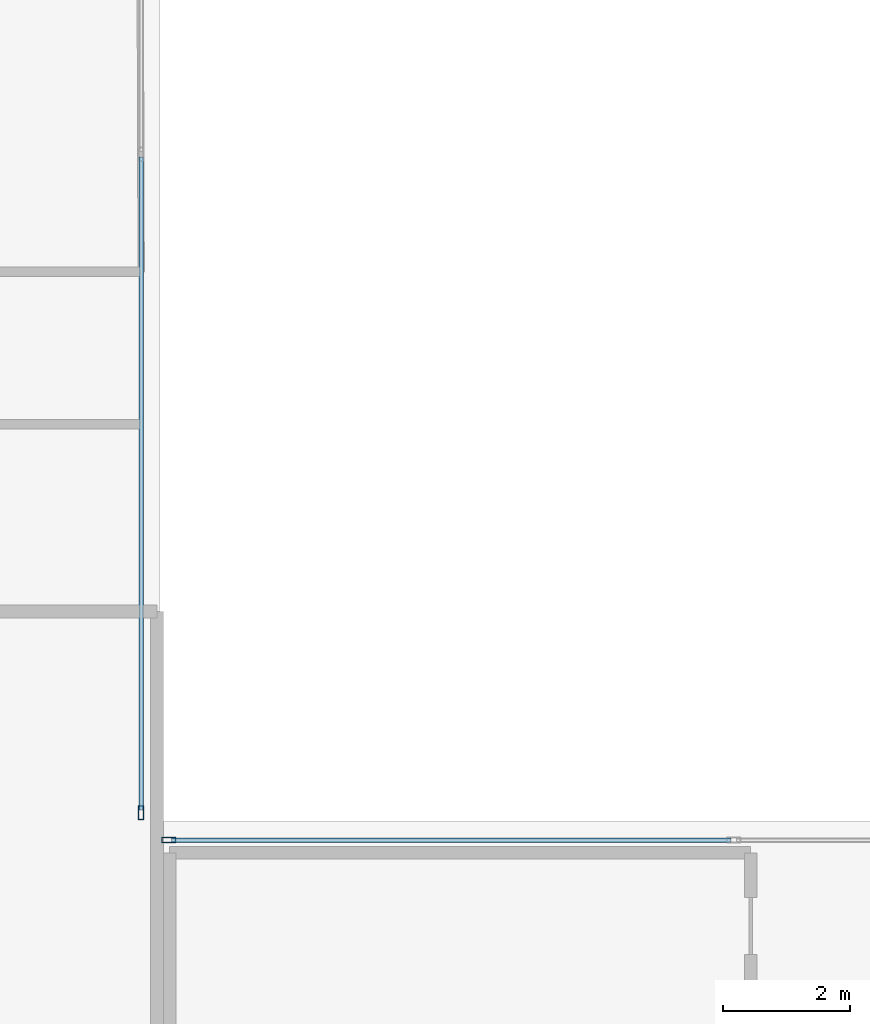
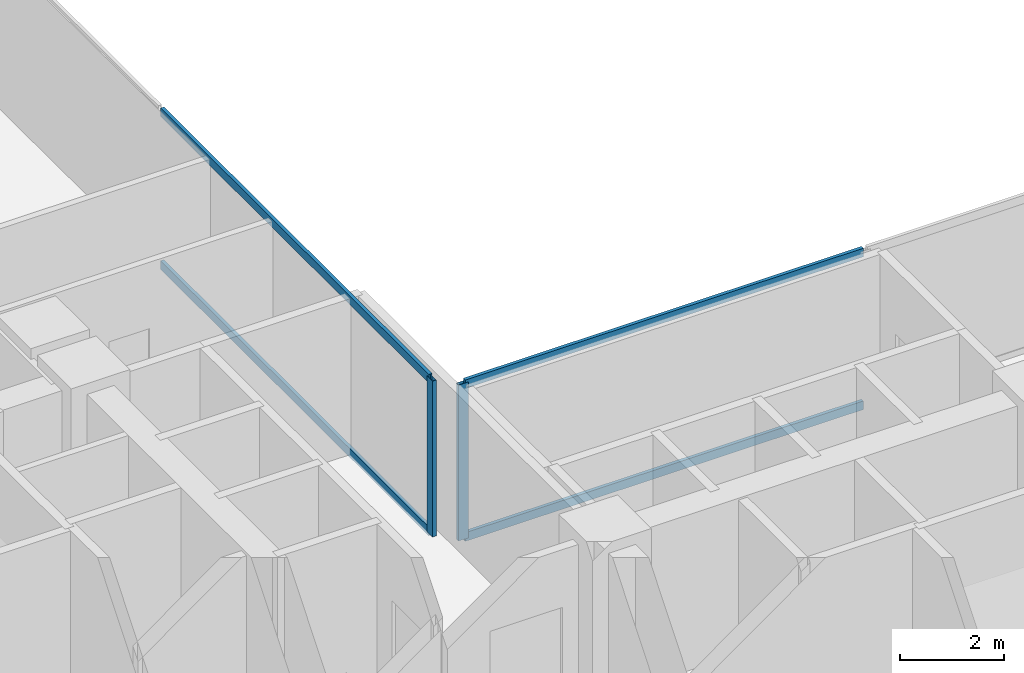
# One storey, part 7 of 25: 6 members, 2 elements without a shape of their own.
"""IFC4 building model written with IfcOpenShell, lengths in metres."""

import ifcopenshell
import ifcopenshell.guid

model = None  # the IFC model being written
_history = None  # IfcOwnerHistory: only IFC2X3 demands one
_inside = {}  # id of a spatial element -> (the spatial element, [elements in it])
_under = {}  # id of a project, library or spatial element -> (it, [spatial elements below it])
_declared = {}  # id of a project -> (the project, [libraries it declares])
_typed = {}  # id of a type object -> (the type object, [elements of that type])
_made_of = {}  # id of a material, layer set ... -> (it, [elements and type objects made of it])


def new_model(schema):
    """Start an empty IFC model of exactly this schema.

    Asked for "IFC4X3", IfcOpenShell would pick the latest addendum, in which some entities
    have other attributes; the version numbers below select the first issue.
    IFC2X3 requires an IfcOwnerHistory on every rooted entity: one is made here for all.
    """
    global model, _history
    if schema == "IFC4X3":
        model = ifcopenshell.file(schema_version=(4, 3, 0, 0))
    else:
        model = ifcopenshell.file(schema=schema)
    _inside.clear()
    _under.clear()
    _declared.clear()
    _typed.clear()
    _made_of.clear()
    _history = None
    if model.schema == "IFC2X3":
        org = make("IfcOrganization", Name="unknown")
        user = make(
            "IfcPersonAndOrganization",
            ThePerson=make("IfcPerson", FamilyName="unknown"),
            TheOrganization=org,
        )
        app = make(
            "IfcApplication",
            ApplicationDeveloper=org,
            Version="unknown",
            ApplicationFullName="unknown",
            ApplicationIdentifier="unknown",
        )
        _history = make(
            "IfcOwnerHistory",
            OwningUser=user,
            OwningApplication=app,
            ChangeAction="ADDED",
            CreationDate=0,
        )
    return model


def make(cls, **values):
    """One entity of the class cls with the attributes given. An attribute that is None is left unset."""
    return model.create_entity(
        cls, **{name: value for name, value in values.items() if value is not None}
    )


def rooted(cls, **values):
    """An entity with a GlobalId (a new one), such as an element, a storey or a relation."""
    return make(cls, GlobalId=ifcopenshell.guid.new(), OwnerHistory=_history, **values)


def si_unit(unit_type, name, prefix=None):
    """IfcSIUnit, for example si_unit("LENGTHUNIT", "METRE", prefix="MILLI")."""
    return make("IfcSIUnit", UnitType=unit_type, Prefix=prefix, Name=name)


def assignment(units):
    """IfcUnitAssignment: the units of a project."""
    return None if units is None else make("IfcUnitAssignment", Units=units)


def point(xyz):
    """IfcCartesianPoint."""
    return None if xyz is None else make("IfcCartesianPoint", Coordinates=xyz)


def direction(xyz):
    """IfcDirection."""
    return None if xyz is None else make("IfcDirection", DirectionRatios=xyz)


def frame(location, z_axis=None, x_axis=None):
    """IfcAxis2Placement3D, a coordinate frame: its origin and axes. An axis left out is left unset."""
    return make(
        "IfcAxis2Placement3D",
        Location=point(location),
        Axis=direction(z_axis),
        RefDirection=direction(x_axis),
    )


def frame_2d(location, x_axis=None):
    """IfcAxis2Placement2D, a coordinate frame in the plane: its origin and x axis."""
    return make(
        "IfcAxis2Placement2D", Location=point(location), RefDirection=direction(x_axis)
    )


def origin():
    """The frame at (0, 0, 0) with its axes left unset."""
    return frame((0.0, 0.0, 0.0))


def origin_2d():
    """The frame at (0, 0) in the plane with its x axis left unset."""
    return frame_2d((0.0, 0.0))


def place(relative_to, where):
    """IfcLocalPlacement: puts the frame where relative to a parent placement (None: the world)."""
    return make(
        "IfcLocalPlacement", PlacementRelTo=relative_to, RelativePlacement=where
    )


def context(
    kind, dimensions, precision=None, world=None, true_north=None, identifier=None
):
    """IfcGeometricRepresentationContext, for example the 3D "Model" context."""
    return make(
        "IfcGeometricRepresentationContext",
        ContextIdentifier=identifier,
        ContextType=kind,
        CoordinateSpaceDimension=dimensions,
        Precision=precision,
        WorldCoordinateSystem=world,
        TrueNorth=true_north,
    )


def subcontext(parent, identifier, kind, view, scale=None):
    """IfcGeometricRepresentationSubContext, for example "Body" below "Model"."""
    return make(
        "IfcGeometricRepresentationSubContext",
        ContextIdentifier=identifier,
        ContextType=kind,
        ParentContext=parent,
        TargetScale=scale,
        TargetView=view,
    )


def project(units=None, contexts=None):
    """IfcProject with its units and contexts."""
    return rooted(
        "IfcProject",
        Name="project",
        RepresentationContexts=contexts,
        UnitsInContext=assignment(units),
    )


def spatial(cls, under=None, at=None, **own):
    """A site, building, storey or space (cls), placed at a placement, below another one or the project."""
    s = rooted(cls, ObjectPlacement=at, **own)
    if under is not None:
        _under.setdefault(under.id(), (under, []))[1].append(s)
    return s


def profile(cls, at=None, kind="AREA", **sizes):
    """A parametric profile (cls). Its sizes go by their IFC names, for example OverallWidth=200.0."""
    return make(cls, ProfileType=kind, Position=at, **sizes)


def hollow_rectangle(**sizes):
    """IfcRectangleHollowProfileDef."""
    return profile("IfcRectangleHollowProfileDef", **sizes)


def extrude(swept, where, along, depth):
    """IfcExtrudedAreaSolid: the profile swept, set in the frame where, extruded along a direction by depth."""
    return make(
        "IfcExtrudedAreaSolid",
        SweptArea=swept,
        Position=where,
        ExtrudedDirection=direction(along),
        Depth=depth,
    )


def shape(context_of_items, identifier, shape_type, items):
    """IfcShapeRepresentation: the items that make up one representation, for example the "Body"."""
    return make(
        "IfcShapeRepresentation",
        ContextOfItems=context_of_items,
        RepresentationIdentifier=identifier,
        RepresentationType=shape_type,
        Items=items,
    )


def material(Name=None, Category=None):
    """IfcMaterial."""
    return make("IfcMaterial", Name=Name, Category=Category)


def layer(
    of_material, thickness, ventilated=None, Name=None, Category=None, Priority=None
):
    """IfcMaterialLayer: one layer of a wall or slab, of a material (None: an air gap)."""
    return make(
        "IfcMaterialLayer",
        Material=of_material,
        LayerThickness=thickness,
        IsVentilated=ventilated,
        Name=Name,
        Category=Category,
        Priority=Priority,
    )


def layer_set(layers, Name=None):
    """IfcMaterialLayerSet."""
    return make("IfcMaterialLayerSet", MaterialLayers=layers, LayerSetName=Name)


def material_profile(
    of_material, cross_section, Name=None, Category=None, Priority=None
):
    """IfcMaterialProfile: a cross section and its material."""
    return make(
        "IfcMaterialProfile",
        Name=Name,
        Material=of_material,
        Profile=cross_section,
        Priority=Priority,
        Category=Category,
    )


def profile_set(profiles, Name=None, composite=None):
    """IfcMaterialProfileSet."""
    return make(
        "IfcMaterialProfileSet",
        Name=Name,
        MaterialProfiles=profiles,
        CompositeProfile=composite,
    )


def made_of(thing, what):
    """Note that an element or type object is made of a material, layer set ...; save() writes the relation."""
    if what is not None:
        _made_of.setdefault(what.id(), (what, []))[1].append(thing)
    return thing


def type_object(cls, material=None, **own):
    """A type object (cls), such as IfcWallType, which elements share."""
    return made_of(rooted(cls, **own), material)


def element(
    cls,
    number,
    at=None,
    inside=None,
    cuts=None,
    type_object=None,
    material=None,
    context=None,
    identifier="Body",
    shape_type=None,
    held_by="IfcProductDefinitionShape",
    body=None,
    shapes=None,
    **own,
):
    """One element of the class cls, such as IfcWall. Its Tag is "e" and its number.

    at: its placement. inside: the storey or other place that contains it. cuts: it is an
    opening in that element (IfcRelVoidsElement). A single representation is given by context,
    identifier, shape_type and body (its items); several are given by shapes. held_by: the class
    of the entity that holds the representations. save() writes the other relations.
    """
    e = rooted(cls, Tag="e%d" % number, ObjectPlacement=at, **own)
    if body is not None:
        shapes = [shape(context, identifier, shape_type, body)]
    if shapes is not None:
        e.Representation = make(held_by, Representations=shapes)
    if inside is not None:
        _inside.setdefault(inside.id(), (inside, []))[1].append(e)
    if cuts is not None:
        rooted(
            "IfcRelVoidsElement", RelatingBuildingElement=cuts, RelatedOpeningElement=e
        )
    if type_object is not None:
        _typed.setdefault(type_object.id(), (type_object, []))[1].append(e)
    return made_of(e, material)


def aggregate(whole, parts):
    """IfcRelAggregates: a whole, such as a stair, and the parts it consists of."""
    return rooted("IfcRelAggregates", RelatingObject=whole, RelatedObjects=parts)


def save(model, path):
    """Write the relations noted so far, then the file.

    IfcRelAggregates (storeys below a building ...), IfcRelContainedInSpatialStructure (elements
    in a storey), IfcRelDefinesByType, IfcRelAssociatesMaterial and IfcRelDeclares: one each for
    every whole, place, type object, material and project.
    """
    for whole, parts in _under.values():
        aggregate(whole, parts)
    for where, things in _inside.values():
        rooted(
            "IfcRelContainedInSpatialStructure",
            RelatedElements=things,
            RelatingStructure=where,
        )
    for kind, things in _typed.values():
        rooted("IfcRelDefinesByType", RelatedObjects=things, RelatingType=kind)
    for what, things in _made_of.values():
        rooted("IfcRelAssociatesMaterial", RelatedObjects=things, RelatingMaterial=what)
    for by, libraries in _declared.values():
        rooted("IfcRelDeclares", RelatingContext=by, RelatedDefinitions=libraries)
    model.write(path)


model = new_model("IFC4")

# Units and contexts
model_context = context("Model", 3, precision=1e-05, world=origin(), true_north=direction((0.0, 1.0)))
body_context = subcontext(model_context, "Body", "Model", "MODEL_VIEW")
ifc_project = project(units=[si_unit("LENGTHUNIT", "METRE"), si_unit("AREAUNIT", "SQUARE_METRE"), si_unit("VOLUMEUNIT", "CUBIC_METRE"), si_unit("PLANEANGLEUNIT", "RADIAN"), si_unit("MASSUNIT", "GRAM", prefix="KILO"), si_unit("THERMODYNAMICTEMPERATUREUNIT", "KELVIN"), si_unit("POWERUNIT", "WATT")], contexts=[model_context])

# Site, building, storey
site_placement = place(None, origin())
site = spatial("IfcSite", under=ifc_project, at=site_placement, CompositionType="ELEMENT")
building_placement = place(site_placement, origin())
building = spatial("IfcBuilding", under=site, at=building_placement, Name="Svarakhadi Broadcast Tower", CompositionType="ELEMENT")
storey_placement = place(building_placement, frame((0.0, 0.0, 32.39990234375)))
storey = spatial("IfcBuildingStorey", under=building, at=storey_placement, Name="L06", CompositionType="ELEMENT", Elevation=32.39990234375)

# Curtain wall, member
ifc_material = material(Name="Anodised Bronze Aluminium AA 6063-T6", Category="aluminium")
ifc_layer = layer(ifc_material, 0.219970703125)
ifc_layer_set = layer_set([ifc_layer], Name="Anodised Bronze Aluminium AA 6063-T6")
curtain_wall_type = type_object("IfcCurtainWallType", Name="CW_Sys_02", PredefinedType="NOTDEFINED", material=ifc_layer_set)
curtain_wall_1_placement = place(storey_placement, origin())
curtain_wall_1 = element("IfcCurtainWall", 1, at=curtain_wall_1_placement, inside=storey, type_object=curtain_wall_type, Name="L06 Unitised Facade Curtain Wall 09", PredefinedType="NOTDEFINED")
ifc_material_profile_1 = material_profile(ifc_material, hollow_rectangle(XDim=0.0849609375, YDim=0.219970703125, WallThickness=0.006103515625, at=origin_2d()), Name="ALU MULLION 220x85x6")
ifc_profile_set_1 = profile_set([ifc_material_profile_1], Name="Anodised Bronze Aluminium AA 6063-T6")
member_type_1 = type_object("IfcMemberType", Name="CW_Sys_02_Mul", PredefinedType="MULLION", material=ifc_profile_set_1)
member_1_placement = place(storey_placement, frame((23.699951171875, 24.132568359375, 0.0), z_axis=(0.0, 0.0, 1.0), x_axis=(1.0, 0.0, 0.0)))
member_1 = element("IfcMember", 2, at=member_1_placement, type_object=member_type_1, Name="CW-02 mullion 3", PredefinedType="MULLION", context=body_context, shape_type="SweptSolid", body=[
    extrude(hollow_rectangle(XDim=0.0849609375, YDim=0.219970703125, WallThickness=0.006103515625, at=origin_2d()), origin(), (0.0, 0.0, 1.0), 3.650146484375),
])

curtain_wall_2_placement = place(storey_placement, origin())
curtain_wall_2 = element("IfcCurtainWall", 3, at=curtain_wall_2_placement, inside=storey, type_object=curtain_wall_type, Name="L06 Unitised Facade Curtain Wall 10", PredefinedType="NOTDEFINED")
member_2_placement = place(storey_placement, frame((24.132568359375, 23.699951171875, 0.0), z_axis=(0.0, 0.0, 1.0), x_axis=(0.0, 1.0, 0.0)))
member_2 = element("IfcMember", 4, at=member_2_placement, type_object=member_type_1, Name="CW-02 mullion 1", PredefinedType="MULLION", context=body_context, shape_type="SweptSolid", body=[
    extrude(hollow_rectangle(XDim=0.0849609375, YDim=0.219970703125, WallThickness=0.006103515625, at=origin_2d()), origin(), (0.0, 0.0, 1.0), 3.650146484375),
])

# Member
ifc_material_profile_2 = material_profile(ifc_material, hollow_rectangle(XDim=0.074951171875, YDim=0.199951171875, WallThickness=0.0048828125, at=origin_2d()), Name="ALU TRANSOM 200x75x5")
ifc_profile_set_2 = profile_set([ifc_material_profile_2], Name="Anodised Bronze Aluminium AA 6063-T6")
member_type_2 = type_object("IfcMemberType", Name="CW_Sys_02_Trn", PredefinedType="USERDEFINED", material=ifc_profile_set_2)
member_3_placement = place(storey_placement, frame((23.699951171875, 34.45751953125, 0.03759765625), z_axis=(0.0, -1.0, 0.0), x_axis=(1.0, 0.0, 0.0)))
member_3 = element("IfcMember", 5, at=member_3_placement, type_object=member_type_2, Name="CW-02 transom 2.1", ObjectType="TRANSOM", PredefinedType="USERDEFINED", context=body_context, shape_type="SweptSolid", body=[
    extrude(hollow_rectangle(XDim=0.074951171875, YDim=0.199951171875, WallThickness=0.0048828125, at=origin_2d()), origin(), (0.0, 0.0, 1.0), 10.282470703125),
])

member_4_placement = place(storey_placement, frame((23.699951171875, 34.45751953125, 3.612548828125), z_axis=(0.0, -1.0, 0.0), x_axis=(1.0, 0.0, 0.0)))
member_4 = element("IfcMember", 6, at=member_4_placement, type_object=member_type_2, Name="CW-02 transom 2.2", ObjectType="TRANSOM", PredefinedType="USERDEFINED", context=body_context, shape_type="SweptSolid", body=[
    extrude(hollow_rectangle(XDim=0.074951171875, YDim=0.199951171875, WallThickness=0.0048828125, at=origin_2d()), origin(), (0.0, 0.0, 1.0), 10.282470703125),
])

aggregate(curtain_wall_1, [member_1, member_3, member_4])

member_5_placement = place(storey_placement, frame((24.175048828125, 23.699951171875, 0.03759765625), z_axis=(1.0, 0.0, 0.0), x_axis=(0.0, 1.0, 0.0)))
member_5 = element("IfcMember", 7, at=member_5_placement, type_object=member_type_2, Name="CW-02 transom 1.1", ObjectType="TRANSOM", PredefinedType="USERDEFINED", context=body_context, shape_type="SweptSolid", body=[
    extrude(hollow_rectangle(XDim=0.074951171875, YDim=0.199951171875, WallThickness=0.0048828125, at=origin_2d()), origin(), (0.0, 0.0, 1.0), 8.8125),
])

member_6_placement = place(storey_placement, frame((24.175048828125, 23.699951171875, 3.612548828125), z_axis=(1.0, 0.0, 0.0), x_axis=(0.0, 1.0, 0.0)))
member_6 = element("IfcMember", 8, at=member_6_placement, type_object=member_type_2, Name="CW-02 transom 1.2", ObjectType="TRANSOM", PredefinedType="USERDEFINED", context=body_context, shape_type="SweptSolid", body=[
    extrude(hollow_rectangle(XDim=0.074951171875, YDim=0.199951171875, WallThickness=0.0048828125, at=origin_2d()), origin(), (0.0, 0.0, 1.0), 8.8125),
])

aggregate(curtain_wall_2, [member_2, member_5, member_6])

save(model, "model.ifc")
